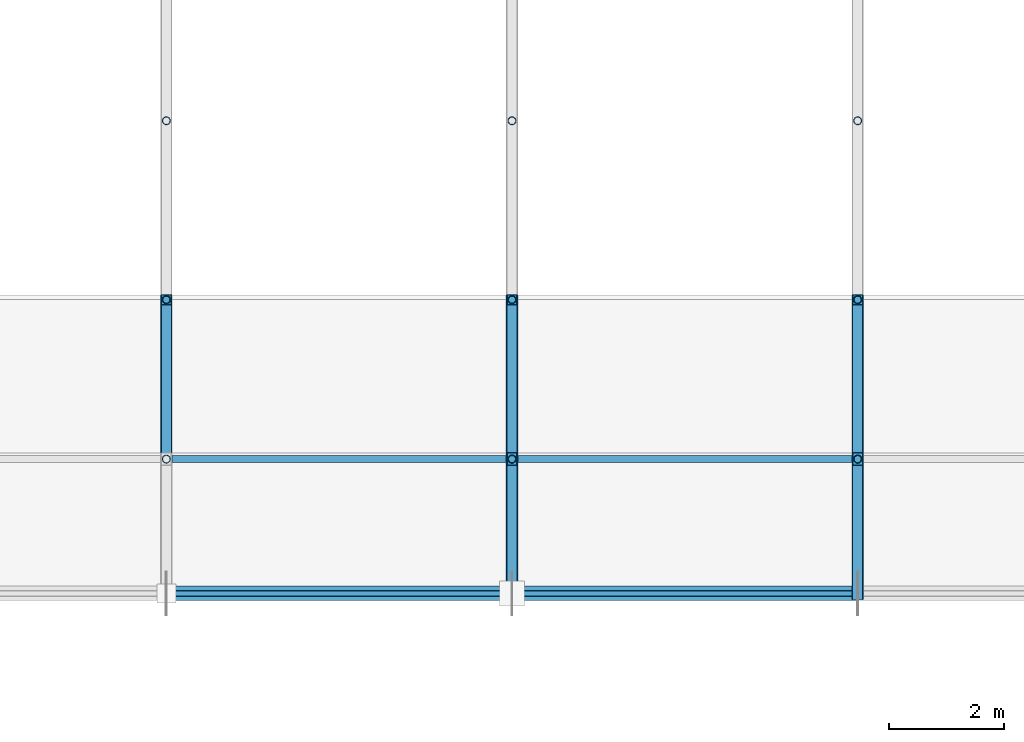
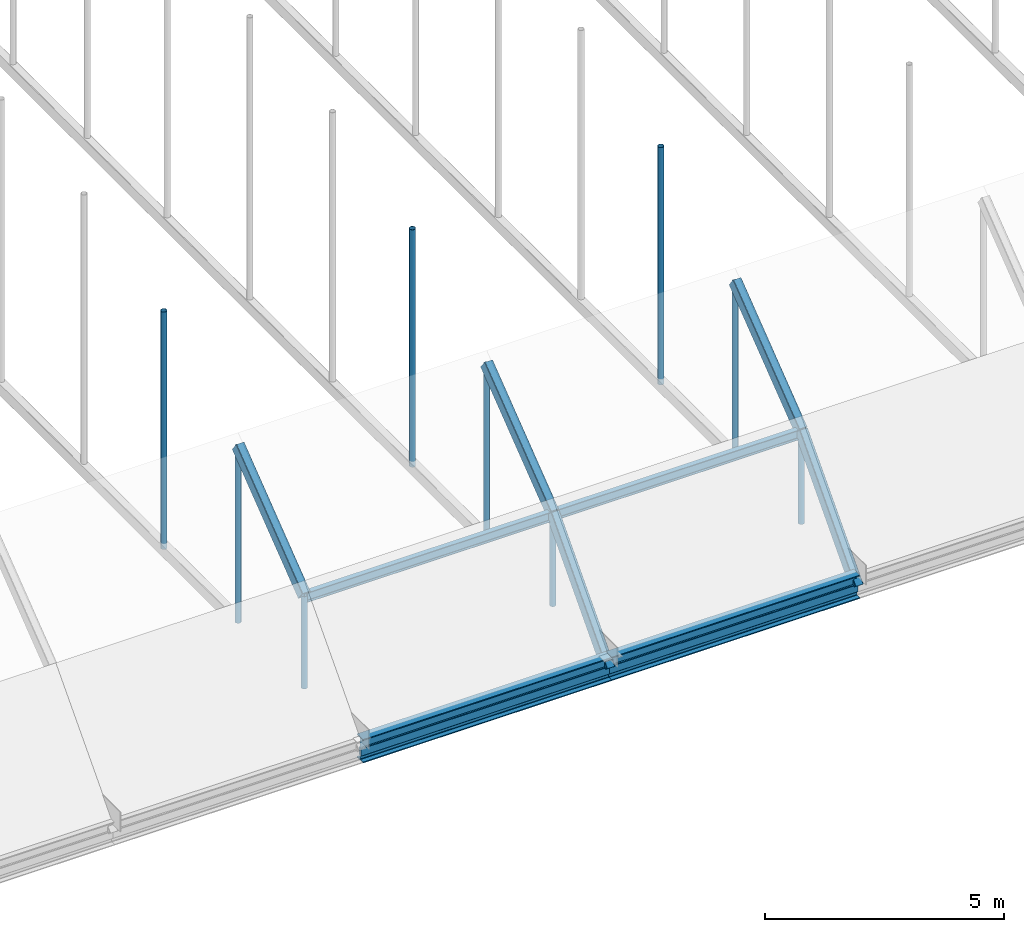
# One storey, part 24 of 63: 13 members, 7 beams.
"""IFC4 building model written with IfcOpenShell, lengths in metres."""

from ifc_helpers import new_model, si_unit, direction, frame, origin, origin_2d, place, context, subcontext, project, spatial, hollow_rectangle, hollow_circle, i_section, extrude, material, material_profile, profile_set, type_object, element, save


model = new_model("IFC4")

# Units and contexts
model_context = context("Model", 3, precision=1e-05, world=origin(), true_north=direction((0.0, 1.0)))
body_context = subcontext(model_context, "Body", "Model", "MODEL_VIEW")
ifc_project = project(units=[si_unit("LENGTHUNIT", "METRE"), si_unit("AREAUNIT", "SQUARE_METRE"), si_unit("VOLUMEUNIT", "CUBIC_METRE"), si_unit("PLANEANGLEUNIT", "RADIAN"), si_unit("MASSUNIT", "GRAM", prefix="KILO")], contexts=[model_context])

# Site, building, storey
site_placement = place(None, origin())
site = spatial("IfcSite", under=ifc_project, at=site_placement, CompositionType="ELEMENT")
building_placement = place(site_placement, origin())
building = spatial("IfcBuilding", under=site, at=building_placement, Name="Varnakota Square Police Headquarters", CompositionType="ELEMENT")
storey_placement = place(building_placement, frame((0.0, 0.0, 22.199951171875)))
storey = spatial("IfcBuildingStorey", under=building, at=storey_placement, Name="L05", CompositionType="ELEMENT", Elevation=22.199951171875)

# Beams
ifc_material = material(Name="Steel IS 2062 Grade 350", Category="steel")
ifc_material_profile_1 = material_profile(ifc_material, i_section(OverallWidth=0.25, OverallDepth=0.60009765625, WebThickness=0.01171875, FlangeThickness=0.023681640625, FilletRadius=0.01708984375, at=origin_2d()), Name="ISWB 600")
ifc_profile_set_1 = profile_set([ifc_material_profile_1], Name="Steel IS 2062 Grade 350")
beam_type_1 = type_object("IfcBeamType", Name="BM-ISWB600", PredefinedType="BEAM", material=ifc_profile_set_1)
for number, where, z_axis, x_axis, name in (
    (1, (72.0, 69.0, -0.300048828125), (1.0, 0.0, 0.0), (0.0, 1.0, 0.0), "Vault V2 south ring beam"),
    (2, (78.0, 69.0, -0.300048828125), (1.0, 0.0, 0.0), (0.0, 1.0, 0.0), "Vault V2 south ring beam"),
):
    element("IfcBeam", number, at=place(storey_placement, frame(where, z_axis=z_axis, x_axis=x_axis)), inside=storey, type_object=beam_type_1, Name=name, PredefinedType="BEAM", context=body_context, shape_type="SweptSolid", body=[
        extrude(i_section(OverallWidth=0.25, OverallDepth=0.60009765625, WebThickness=0.01171875, FlangeThickness=0.023681640625, FilletRadius=0.01708984375, at=origin_2d()), origin(), (0.0, 0.0, 1.0), 6.0),
    ])
ifc_material_profile_2 = material_profile(ifc_material, hollow_rectangle(XDim=0.199951171875, YDim=0.300048828125, WallThickness=0.011962890625, InnerFilletRadius=0.011962890625, OuterFilletRadius=0.02392578125, at=origin_2d()), Name="RHS 300x200x12")
ifc_profile_set_2 = profile_set([ifc_material_profile_2], Name="Steel IS 2062 Grade 350")
beam_type_2 = type_object("IfcBeamType", Name="BM-VR-RHS300", PredefinedType="BEAM", material=ifc_profile_set_2)
beam_1_placement = place(storey_placement, frame((72.0, 71.331787109375, 2.20654296875), z_axis=(0.0, 0.792062306817, 0.610440252703), x_axis=(-1.0, 0.0, 0.0)))
element("IfcBeam", 3, at=beam_1_placement, inside=storey, type_object=beam_type_2, Name="Barrel vault arch rib chord VR-V2-R03-S02", PredefinedType="BEAM", context=body_context, shape_type="SweptSolid", body=[
    extrude(hollow_rectangle(XDim=0.199951171875, YDim=0.300048828125, WallThickness=0.011962890625, InnerFilletRadius=0.011962890625, OuterFilletRadius=0.02392578125, at=origin_2d()), origin(), (0.0, 0.0, 1.0), 3.4921875),
])
beam_2_placement = place(storey_placement, frame((78.0, 69.0, -0.366455078125), z_axis=(0.0, 0.671520631111, 0.740985858159), x_axis=(-1.0, 0.0, 0.0)))
element("IfcBeam", 4, at=beam_2_placement, inside=storey, type_object=beam_type_2, Name="Barrel vault arch rib chord VR-V2-R04-S01", PredefinedType="BEAM", context=body_context, shape_type="SweptSolid", body=[
    extrude(hollow_rectangle(XDim=0.199951171875, YDim=0.300048828125, WallThickness=0.011962890625, InnerFilletRadius=0.011962890625, OuterFilletRadius=0.02392578125, at=origin_2d()), origin(), (0.0, 0.0, 1.0), 3.472412109375),
])
beam_3_placement = place(storey_placement, frame((78.0, 71.331787109375, 2.20654296875), z_axis=(0.0, 0.792062306817, 0.610440252703), x_axis=(-1.0, 0.0, 0.0)))
element("IfcBeam", 5, at=beam_3_placement, inside=storey, type_object=beam_type_2, Name="Barrel vault arch rib chord VR-V2-R04-S02", PredefinedType="BEAM", context=body_context, shape_type="SweptSolid", body=[
    extrude(hollow_rectangle(XDim=0.199951171875, YDim=0.300048828125, WallThickness=0.011962890625, InnerFilletRadius=0.011962890625, OuterFilletRadius=0.02392578125, at=origin_2d()), origin(), (0.0, 0.0, 1.0), 3.4921875),
])
beam_4_placement = place(storey_placement, frame((84.0, 69.0, -0.366455078125), z_axis=(0.0, 0.671520631111, 0.740985858159), x_axis=(-1.0, 0.0, 0.0)))
element("IfcBeam", 6, at=beam_4_placement, inside=storey, type_object=beam_type_2, Name="Barrel vault arch rib chord VR-V2-R05-S01", PredefinedType="BEAM", context=body_context, shape_type="SweptSolid", body=[
    extrude(hollow_rectangle(XDim=0.199951171875, YDim=0.300048828125, WallThickness=0.011962890625, InnerFilletRadius=0.011962890625, OuterFilletRadius=0.02392578125, at=origin_2d()), origin(), (0.0, 0.0, 1.0), 3.472412109375),
])
beam_5_placement = place(storey_placement, frame((84.0, 71.331787109375, 2.20654296875), z_axis=(0.0, 0.792062306817, 0.610440252703), x_axis=(-1.0, 0.0, 0.0)))
element("IfcBeam", 7, at=beam_5_placement, inside=storey, type_object=beam_type_2, Name="Barrel vault arch rib chord VR-V2-R05-S02", PredefinedType="BEAM", context=body_context, shape_type="SweptSolid", body=[
    extrude(hollow_rectangle(XDim=0.199951171875, YDim=0.300048828125, WallThickness=0.011962890625, InnerFilletRadius=0.011962890625, OuterFilletRadius=0.02392578125, at=origin_2d()), origin(), (0.0, 0.0, 1.0), 3.4921875),
])

# Members
ifc_material_profile_3 = material_profile(ifc_material, hollow_circle(Radius=0.06982421875, WallThickness=0.006103515625, at=origin_2d()), Name="CHS 139.7x6.0")
ifc_profile_set_3 = profile_set([ifc_material_profile_3], Name="Steel IS 2062 Grade 350")
member_type_1 = type_object("IfcMemberType", Name="MEM-HNG-CHS139", PredefinedType="STRUT", material=ifc_profile_set_3)
member_1_placement = place(storey_placement, frame((72.0, 71.331787109375, -0.14990234375), z_axis=(0.0, 0.0, 1.0), x_axis=(1.0, 0.0, 0.0)))
element("IfcMember", 8, at=member_1_placement, inside=storey, type_object=member_type_1, Name="Barrel vault hanger strut V2-R03-N1", PredefinedType="STRUT", context=body_context, shape_type="SweptSolid", body=[
    extrude(hollow_circle(Radius=0.06982421875, WallThickness=0.006103515625, at=origin_2d()), origin(), (0.0, 0.0, 1.0), 2.3564453125),
])
member_2_placement = place(storey_placement, frame((72.0, 74.097900390625, -0.14990234375), z_axis=(0.0, 0.0, 1.0), x_axis=(1.0, 0.0, 0.0)))
element("IfcMember", 9, at=member_2_placement, inside=storey, type_object=member_type_1, Name="Barrel vault hanger strut V2-R03-N2", PredefinedType="STRUT", context=body_context, shape_type="SweptSolid", body=[
    extrude(hollow_circle(Radius=0.06982421875, WallThickness=0.006103515625, at=origin_2d()), origin(), (0.0, 0.0, 1.0), 4.48828125),
])
member_3_placement = place(storey_placement, frame((72.0, 77.20361328125, -0.14990234375), z_axis=(0.0, 0.0, 1.0), x_axis=(1.0, 0.0, 0.0)))
element("IfcMember", 10, at=member_3_placement, inside=storey, type_object=member_type_1, Name="Barrel vault hanger strut V2-R03-N3", PredefinedType="STRUT", context=body_context, shape_type="SweptSolid", body=[
    extrude(hollow_circle(Radius=0.06982421875, WallThickness=0.006103515625, at=origin_2d()), origin(), (0.0, 0.0, 1.0), 6.060302734375),
])
member_4_placement = place(storey_placement, frame((78.0, 71.331787109375, -0.14990234375), z_axis=(0.0, 0.0, 1.0), x_axis=(1.0, 0.0, 0.0)))
element("IfcMember", 11, at=member_4_placement, inside=storey, type_object=member_type_1, Name="Barrel vault hanger strut V2-R04-N1", PredefinedType="STRUT", context=body_context, shape_type="SweptSolid", body=[
    extrude(hollow_circle(Radius=0.06982421875, WallThickness=0.006103515625, at=origin_2d()), origin(), (0.0, 0.0, 1.0), 2.3564453125),
])
member_5_placement = place(storey_placement, frame((78.0, 74.097900390625, -0.14990234375), z_axis=(0.0, 0.0, 1.0), x_axis=(1.0, 0.0, 0.0)))
element("IfcMember", 12, at=member_5_placement, inside=storey, type_object=member_type_1, Name="Barrel vault hanger strut V2-R04-N2", PredefinedType="STRUT", context=body_context, shape_type="SweptSolid", body=[
    extrude(hollow_circle(Radius=0.06982421875, WallThickness=0.006103515625, at=origin_2d()), origin(), (0.0, 0.0, 1.0), 4.48828125),
])
member_6_placement = place(storey_placement, frame((78.0, 77.20361328125, -0.14990234375), z_axis=(0.0, 0.0, 1.0), x_axis=(1.0, 0.0, 0.0)))
element("IfcMember", 13, at=member_6_placement, inside=storey, type_object=member_type_1, Name="Barrel vault hanger strut V2-R04-N3", PredefinedType="STRUT", context=body_context, shape_type="SweptSolid", body=[
    extrude(hollow_circle(Radius=0.06982421875, WallThickness=0.006103515625, at=origin_2d()), origin(), (0.0, 0.0, 1.0), 6.060302734375),
])
member_7_placement = place(storey_placement, frame((84.0, 71.331787109375, -0.14990234375), z_axis=(0.0, 0.0, 1.0), x_axis=(1.0, 0.0, 0.0)))
element("IfcMember", 14, at=member_7_placement, inside=storey, type_object=member_type_1, Name="Barrel vault hanger strut V2-R05-N1", PredefinedType="STRUT", context=body_context, shape_type="SweptSolid", body=[
    extrude(hollow_circle(Radius=0.06982421875, WallThickness=0.006103515625, at=origin_2d()), origin(), (0.0, 0.0, 1.0), 2.3564453125),
])
member_8_placement = place(storey_placement, frame((84.0, 74.097900390625, -0.14990234375), z_axis=(0.0, 0.0, 1.0), x_axis=(1.0, 0.0, 0.0)))
element("IfcMember", 15, at=member_8_placement, inside=storey, type_object=member_type_1, Name="Barrel vault hanger strut V2-R05-N2", PredefinedType="STRUT", context=body_context, shape_type="SweptSolid", body=[
    extrude(hollow_circle(Radius=0.06982421875, WallThickness=0.006103515625, at=origin_2d()), origin(), (0.0, 0.0, 1.0), 4.48828125),
])
member_9_placement = place(storey_placement, frame((84.0, 77.20361328125, -0.14990234375), z_axis=(0.0, 0.0, 1.0), x_axis=(1.0, 0.0, 0.0)))
element("IfcMember", 16, at=member_9_placement, inside=storey, type_object=member_type_1, Name="Barrel vault hanger strut V2-R05-N3", PredefinedType="STRUT", context=body_context, shape_type="SweptSolid", body=[
    extrude(hollow_circle(Radius=0.06982421875, WallThickness=0.006103515625, at=origin_2d()), origin(), (0.0, 0.0, 1.0), 6.060302734375),
])
ifc_material_profile_4 = material_profile(ifc_material, i_section(OverallWidth=0.125, OverallDepth=0.25, WebThickness=0.0068359375, FlangeThickness=0.012451171875, FilletRadius=0.012939453125, at=origin_2d()), Name="ISMB 250")
ifc_profile_set_4 = profile_set([ifc_material_profile_4], Name="Steel IS 2062 Grade 350")
member_type_2 = type_object("IfcMemberType", Name="MEM-PUR-ISMB250", PredefinedType="PURLIN", material=ifc_profile_set_4)
for number, where, z_axis, x_axis, name in (
    (17, (72.0, 71.331787109375, 2.156494140625), (1.0, 0.0, 0.0), (0.0, 1.0, 0.0), "Vault roof purlin V2-B03-N01"),
    (18, (78.0, 71.331787109375, 2.156494140625), (1.0, 0.0, 0.0), (0.0, 1.0, 0.0), "Vault roof purlin V2-B04-N01"),
):
    element("IfcMember", number, at=place(storey_placement, frame(where, z_axis=z_axis, x_axis=x_axis)), inside=storey, type_object=member_type_2, Name=name, PredefinedType="PURLIN", context=body_context, shape_type="SweptSolid", body=[
        extrude(i_section(OverallWidth=0.125, OverallDepth=0.25, WebThickness=0.0068359375, FlangeThickness=0.012451171875, FilletRadius=0.012939453125, at=origin_2d()), origin(), (0.0, 0.0, 1.0), 6.0),
    ])
ifc_material_profile_5 = material_profile(ifc_material, hollow_rectangle(XDim=0.10009765625, YDim=0.199951171875, WallThickness=0.008056640625, InnerFilletRadius=0.008056640625, OuterFilletRadius=0.01611328125, at=origin_2d()), Name="RHS 200x100x8")
ifc_profile_set_5 = profile_set([ifc_material_profile_5], Name="Steel IS 2062 Grade 350")
member_type_3 = type_object("IfcMemberType", Name="MEM-PUR-RHS200", PredefinedType="PURLIN", material=ifc_profile_set_5)
for number, where, z_axis, x_axis, name in (
    (19, (72.0, 69.0, -0.377685546875), (1.0, 0.0, 0.0), (0.0, 1.0, 0.0), "Vault roof purlin V2-B03-N00"),
    (20, (78.0, 69.0, -0.377685546875), (1.0, 0.0, 0.0), (0.0, 1.0, 0.0), "Vault roof purlin V2-B04-N00"),
):
    element("IfcMember", number, at=place(storey_placement, frame(where, z_axis=z_axis, x_axis=x_axis)), inside=storey, type_object=member_type_3, Name=name, PredefinedType="PURLIN", context=body_context, shape_type="SweptSolid", body=[
        extrude(hollow_rectangle(XDim=0.10009765625, YDim=0.199951171875, WallThickness=0.008056640625, InnerFilletRadius=0.008056640625, OuterFilletRadius=0.01611328125, at=origin_2d()), origin(), (0.0, 0.0, 1.0), 6.0),
    ])

save(model, "model.ifc")
